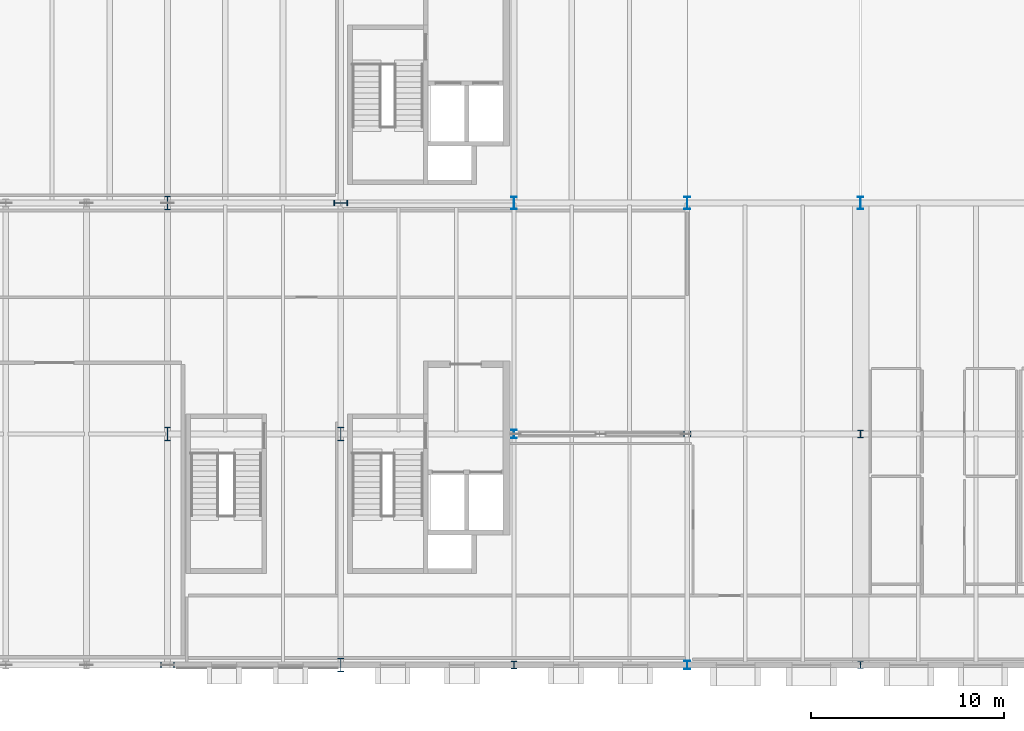
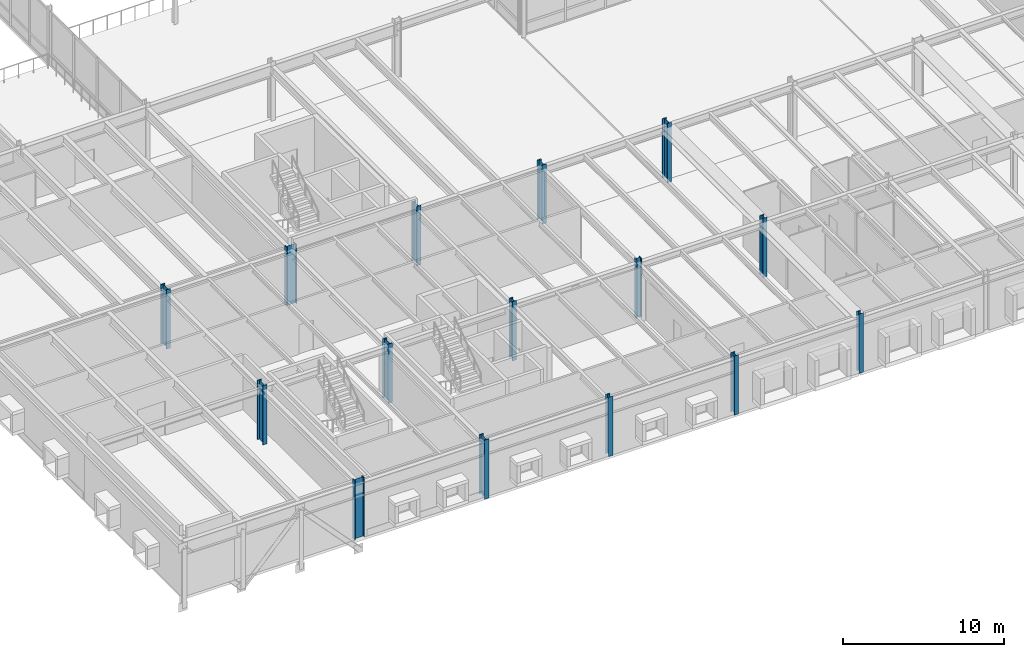
# One storey, part 1 of 115: 15 columns.
"""IFC4 building model written with IfcOpenShell, lengths in metres."""

import ifcopenshell
import ifcopenshell.guid

model = None  # the IFC model being written
_history = None  # IfcOwnerHistory: only IFC2X3 demands one
_inside = {}  # id of a spatial element -> (the spatial element, [elements in it])
_under = {}  # id of a project, library or spatial element -> (it, [spatial elements below it])
_declared = {}  # id of a project -> (the project, [libraries it declares])
_typed = {}  # id of a type object -> (the type object, [elements of that type])
_made_of = {}  # id of a material, layer set ... -> (it, [elements and type objects made of it])


def new_model(schema):
    """Start an empty IFC model of exactly this schema.

    Asked for "IFC4X3", IfcOpenShell would pick the latest addendum, in which some entities
    have other attributes; the version numbers below select the first issue.
    IFC2X3 requires an IfcOwnerHistory on every rooted entity: one is made here for all.
    """
    global model, _history
    if schema == "IFC4X3":
        model = ifcopenshell.file(schema_version=(4, 3, 0, 0))
    else:
        model = ifcopenshell.file(schema=schema)
    _inside.clear()
    _under.clear()
    _declared.clear()
    _typed.clear()
    _made_of.clear()
    _history = None
    if model.schema == "IFC2X3":
        org = make("IfcOrganization", Name="unknown")
        user = make(
            "IfcPersonAndOrganization",
            ThePerson=make("IfcPerson", FamilyName="unknown"),
            TheOrganization=org,
        )
        app = make(
            "IfcApplication",
            ApplicationDeveloper=org,
            Version="unknown",
            ApplicationFullName="unknown",
            ApplicationIdentifier="unknown",
        )
        _history = make(
            "IfcOwnerHistory",
            OwningUser=user,
            OwningApplication=app,
            ChangeAction="ADDED",
            CreationDate=0,
        )
    return model


def make(cls, **values):
    """One entity of the class cls with the attributes given. An attribute that is None is left unset."""
    return model.create_entity(
        cls, **{name: value for name, value in values.items() if value is not None}
    )


def rooted(cls, **values):
    """An entity with a GlobalId (a new one), such as an element, a storey or a relation."""
    return make(cls, GlobalId=ifcopenshell.guid.new(), OwnerHistory=_history, **values)


def si_unit(unit_type, name, prefix=None):
    """IfcSIUnit, for example si_unit("LENGTHUNIT", "METRE", prefix="MILLI")."""
    return make("IfcSIUnit", UnitType=unit_type, Prefix=prefix, Name=name)


def assignment(units):
    """IfcUnitAssignment: the units of a project."""
    return None if units is None else make("IfcUnitAssignment", Units=units)


def point(xyz):
    """IfcCartesianPoint."""
    return None if xyz is None else make("IfcCartesianPoint", Coordinates=xyz)


def direction(xyz):
    """IfcDirection."""
    return None if xyz is None else make("IfcDirection", DirectionRatios=xyz)


def frame(location, z_axis=None, x_axis=None):
    """IfcAxis2Placement3D, a coordinate frame: its origin and axes. An axis left out is left unset."""
    return make(
        "IfcAxis2Placement3D",
        Location=point(location),
        Axis=direction(z_axis),
        RefDirection=direction(x_axis),
    )


def frame_2d(location, x_axis=None):
    """IfcAxis2Placement2D, a coordinate frame in the plane: its origin and x axis."""
    return make(
        "IfcAxis2Placement2D", Location=point(location), RefDirection=direction(x_axis)
    )


def origin():
    """The frame at (0, 0, 0) with its axes left unset."""
    return frame((0.0, 0.0, 0.0))


def origin_2d():
    """The frame at (0, 0) in the plane with its x axis left unset."""
    return frame_2d((0.0, 0.0))


def place(relative_to, where):
    """IfcLocalPlacement: puts the frame where relative to a parent placement (None: the world)."""
    return make(
        "IfcLocalPlacement", PlacementRelTo=relative_to, RelativePlacement=where
    )


def context(
    kind, dimensions, precision=None, world=None, true_north=None, identifier=None
):
    """IfcGeometricRepresentationContext, for example the 3D "Model" context."""
    return make(
        "IfcGeometricRepresentationContext",
        ContextIdentifier=identifier,
        ContextType=kind,
        CoordinateSpaceDimension=dimensions,
        Precision=precision,
        WorldCoordinateSystem=world,
        TrueNorth=true_north,
    )


def subcontext(parent, identifier, kind, view, scale=None):
    """IfcGeometricRepresentationSubContext, for example "Body" below "Model"."""
    return make(
        "IfcGeometricRepresentationSubContext",
        ContextIdentifier=identifier,
        ContextType=kind,
        ParentContext=parent,
        TargetScale=scale,
        TargetView=view,
    )


def project(units=None, contexts=None):
    """IfcProject with its units and contexts."""
    return rooted(
        "IfcProject",
        Name="project",
        RepresentationContexts=contexts,
        UnitsInContext=assignment(units),
    )


def spatial(cls, under=None, at=None, **own):
    """A site, building, storey or space (cls), placed at a placement, below another one or the project."""
    s = rooted(cls, ObjectPlacement=at, **own)
    if under is not None:
        _under.setdefault(under.id(), (under, []))[1].append(s)
    return s


def profile(cls, at=None, kind="AREA", **sizes):
    """A parametric profile (cls). Its sizes go by their IFC names, for example OverallWidth=200.0."""
    return make(cls, ProfileType=kind, Position=at, **sizes)


def i_section(**sizes):
    """IfcIShapeProfileDef."""
    return profile("IfcIShapeProfileDef", **sizes)


def extrude(swept, where, along, depth):
    """IfcExtrudedAreaSolid: the profile swept, set in the frame where, extruded along a direction by depth."""
    return make(
        "IfcExtrudedAreaSolid",
        SweptArea=swept,
        Position=where,
        ExtrudedDirection=direction(along),
        Depth=depth,
    )


def shape(context_of_items, identifier, shape_type, items):
    """IfcShapeRepresentation: the items that make up one representation, for example the "Body"."""
    return make(
        "IfcShapeRepresentation",
        ContextOfItems=context_of_items,
        RepresentationIdentifier=identifier,
        RepresentationType=shape_type,
        Items=items,
    )


def material(Name=None, Category=None):
    """IfcMaterial."""
    return make("IfcMaterial", Name=Name, Category=Category)


def material_profile(
    of_material, cross_section, Name=None, Category=None, Priority=None
):
    """IfcMaterialProfile: a cross section and its material."""
    return make(
        "IfcMaterialProfile",
        Name=Name,
        Material=of_material,
        Profile=cross_section,
        Priority=Priority,
        Category=Category,
    )


def profile_set(profiles, Name=None, composite=None):
    """IfcMaterialProfileSet."""
    return make(
        "IfcMaterialProfileSet",
        Name=Name,
        MaterialProfiles=profiles,
        CompositeProfile=composite,
    )


def made_of(thing, what):
    """Note that an element or type object is made of a material, layer set ...; save() writes the relation."""
    if what is not None:
        _made_of.setdefault(what.id(), (what, []))[1].append(thing)
    return thing


def type_object(cls, material=None, **own):
    """A type object (cls), such as IfcWallType, which elements share."""
    return made_of(rooted(cls, **own), material)


def element(
    cls,
    number,
    at=None,
    inside=None,
    cuts=None,
    type_object=None,
    material=None,
    context=None,
    identifier="Body",
    shape_type=None,
    held_by="IfcProductDefinitionShape",
    body=None,
    shapes=None,
    **own,
):
    """One element of the class cls, such as IfcWall. Its Tag is "e" and its number.

    at: its placement. inside: the storey or other place that contains it. cuts: it is an
    opening in that element (IfcRelVoidsElement). A single representation is given by context,
    identifier, shape_type and body (its items); several are given by shapes. held_by: the class
    of the entity that holds the representations. save() writes the other relations.
    """
    e = rooted(cls, Tag="e%d" % number, ObjectPlacement=at, **own)
    if body is not None:
        shapes = [shape(context, identifier, shape_type, body)]
    if shapes is not None:
        e.Representation = make(held_by, Representations=shapes)
    if inside is not None:
        _inside.setdefault(inside.id(), (inside, []))[1].append(e)
    if cuts is not None:
        rooted(
            "IfcRelVoidsElement", RelatingBuildingElement=cuts, RelatedOpeningElement=e
        )
    if type_object is not None:
        _typed.setdefault(type_object.id(), (type_object, []))[1].append(e)
    return made_of(e, material)


def aggregate(whole, parts):
    """IfcRelAggregates: a whole, such as a stair, and the parts it consists of."""
    return rooted("IfcRelAggregates", RelatingObject=whole, RelatedObjects=parts)


def save(model, path):
    """Write the relations noted so far, then the file.

    IfcRelAggregates (storeys below a building ...), IfcRelContainedInSpatialStructure (elements
    in a storey), IfcRelDefinesByType, IfcRelAssociatesMaterial and IfcRelDeclares: one each for
    every whole, place, type object, material and project.
    """
    for whole, parts in _under.values():
        aggregate(whole, parts)
    for where, things in _inside.values():
        rooted(
            "IfcRelContainedInSpatialStructure",
            RelatedElements=things,
            RelatingStructure=where,
        )
    for kind, things in _typed.values():
        rooted("IfcRelDefinesByType", RelatedObjects=things, RelatingType=kind)
    for what, things in _made_of.values():
        rooted("IfcRelAssociatesMaterial", RelatedObjects=things, RelatingMaterial=what)
    for by, libraries in _declared.values():
        rooted("IfcRelDeclares", RelatingContext=by, RelatedDefinitions=libraries)
    model.write(path)


model = new_model("IFC4")

# Units and contexts
model_context = context("Model", 3, precision=1e-05, world=origin(), true_north=direction((0.0, 1.0)))
body_context = subcontext(model_context, "Body", "Model", "MODEL_VIEW")
ifc_project = project(units=[si_unit("LENGTHUNIT", "METRE"), si_unit("AREAUNIT", "SQUARE_METRE"), si_unit("VOLUMEUNIT", "CUBIC_METRE"), si_unit("PLANEANGLEUNIT", "RADIAN"), si_unit("MASSUNIT", "GRAM", prefix="KILO")], contexts=[model_context])

# Site, building, storey
site_placement = place(None, origin())
site = spatial("IfcSite", under=ifc_project, at=site_placement, CompositionType="ELEMENT")
building_placement = place(site_placement, origin())
building = spatial("IfcBuilding", under=site, at=building_placement, Name="Montelvaro Courts of Justice", CompositionType="ELEMENT")
storey_placement = place(building_placement, frame((0.0, 0.0, 9.89990234375)))
storey = spatial("IfcBuildingStorey", under=building, at=storey_placement, Name="L02", CompositionType="ELEMENT", Elevation=9.89990234375)

# Columns
ifc_material = material(Name="Steel S355", Category="steel")
ifc_material_profile_1 = material_profile(ifc_material, i_section(OverallWidth=0.300048828125, OverallDepth=0.360107421875, WebThickness=0.012451171875, FlangeThickness=0.0224609375, at=origin_2d()), Name="HEB 360")
ifc_profile_set_1 = profile_set([ifc_material_profile_1], Name="Steel S355")
column_type_1 = type_object("IfcColumnType", Name="Col_HEB360", PredefinedType="COLUMN", material=ifc_profile_set_1)
for number, where, z_axis, x_axis, name in (
    (1, (72.0, 12.0, 0.0), (0.0, 0.0, 1.0), (0.0, 1.0, 0.0), "Column C-06 L02 9/B"),
    (2, (81.0, 0.0, 0.0), (0.0, 0.0, 1.0), (1.0, 0.0, 0.0), "Column C-06 L02 10/A"),
):
    element("IfcColumn", number, at=place(storey_placement, frame(where, z_axis=z_axis, x_axis=x_axis)), inside=storey, type_object=column_type_1, Name=name, PredefinedType="COLUMN", context=body_context, shape_type="SweptSolid", body=[
        extrude(i_section(OverallWidth=0.300048828125, OverallDepth=0.360107421875, WebThickness=0.012451171875, FlangeThickness=0.0224609375, at=origin_2d()), origin(), (0.0, 0.0, 1.0), 4.5),
    ])
ifc_material_profile_2 = material_profile(ifc_material, i_section(OverallWidth=0.300048828125, OverallDepth=0.39990234375, WebThickness=0.013427734375, FlangeThickness=0.02392578125, at=origin_2d()), Name="HEB 400")
ifc_profile_set_2 = profile_set([ifc_material_profile_2], Name="Steel S355")
column_type_2 = type_object("IfcColumnType", Name="Col_HEB400", PredefinedType="COLUMN", material=ifc_profile_set_2)
for number, where, z_axis, x_axis, name in (
    (3, (63.0, 0.0, 0.0), (0.0, 0.0, 1.0), (1.0, 0.0, 0.0), "Column C-07 L02 8/A"),
    (4, (81.0, 12.0, 0.0), (0.0, 0.0, 1.0), (1.0, 0.0, 0.0), "Column C-07 L02 10/B"),
):
    element("IfcColumn", number, at=place(storey_placement, frame(where, z_axis=z_axis, x_axis=x_axis)), inside=storey, type_object=column_type_2, Name=name, PredefinedType="COLUMN", context=body_context, shape_type="SweptSolid", body=[
        extrude(i_section(OverallWidth=0.300048828125, OverallDepth=0.39990234375, WebThickness=0.013427734375, FlangeThickness=0.02392578125, at=origin_2d()), origin(), (0.0, 0.0, 1.0), 4.5),
    ])
ifc_material_profile_3 = material_profile(ifc_material, i_section(OverallWidth=0.300048828125, OverallDepth=0.449951171875, WebThickness=0.013916015625, FlangeThickness=0.02587890625, at=origin_2d()), Name="HEB 450")
ifc_profile_set_3 = profile_set([ifc_material_profile_3], Name="Steel S355")
column_type_3 = type_object("IfcColumnType", Name="Col_HEB450", PredefinedType="COLUMN", material=ifc_profile_set_3)
for number, where, z_axis, x_axis, name in (
    (5, (63.0, 12.0, 0.0), (0.0, 0.0, 1.0), (1.0, 0.0, 0.0), "Column C-08 L02 8/B"),
    (6, (72.0, 0.0, 0.0), (0.0, 0.0, 1.0), (1.0, 0.0, 0.0), "Column C-08 L02 9/A"),
):
    element("IfcColumn", number, at=place(storey_placement, frame(where, z_axis=z_axis, x_axis=x_axis)), inside=storey, type_object=column_type_3, Name=name, PredefinedType="COLUMN", context=body_context, shape_type="SweptSolid", body=[
        extrude(i_section(OverallWidth=0.300048828125, OverallDepth=0.449951171875, WebThickness=0.013916015625, FlangeThickness=0.02587890625, at=origin_2d()), origin(), (0.0, 0.0, 1.0), 4.5),
    ])
ifc_material_profile_4 = material_profile(ifc_material, i_section(OverallWidth=0.300048828125, OverallDepth=0.64990234375, WebThickness=0.01611328125, FlangeThickness=0.031005859375, at=origin_2d()), Name="HEB 650")
ifc_profile_set_4 = profile_set([ifc_material_profile_4], Name="Steel S355")
column_type_4 = type_object("IfcColumnType", Name="Col_HEB650", PredefinedType="COLUMN", material=ifc_profile_set_4)
for number, where, z_axis, x_axis, name in (
    (7, (63.0, 24.0, 0.0), (0.0, 0.0, 1.0), (1.0, 0.0, 0.0), "Column C-12 L02 8/C"),
    (8, (72.0, 24.0, 0.0), (0.0, 0.0, 1.0), (1.0, 0.0, 0.0), "Column C-12 L02 9/C"),
    (9, (81.0, 24.0, 0.0), (0.0, 0.0, 1.0), (1.0, 0.0, 0.0), "Column C-12 L02 10/C"),
):
    element("IfcColumn", number, at=place(storey_placement, frame(where, z_axis=z_axis, x_axis=x_axis)), inside=storey, type_object=column_type_4, Name=name, PredefinedType="COLUMN", context=body_context, shape_type="SweptSolid", body=[
        extrude(i_section(OverallWidth=0.300048828125, OverallDepth=0.64990234375, WebThickness=0.01611328125, FlangeThickness=0.031005859375, at=origin_2d()), origin(), (0.0, 0.0, 1.0), 4.5),
    ])
ifc_material_profile_5 = material_profile(ifc_material, i_section(OverallWidth=0.303955078125, OverallDepth=0.716064453125, WebThickness=0.02099609375, FlangeThickness=0.0400390625, at=origin_2d()), Name="HEM 700")
ifc_profile_set_5 = profile_set([ifc_material_profile_5], Name="Steel S355")
column_type_5 = type_object("IfcColumnType", Name="Col_HEM700", PredefinedType="COLUMN", material=ifc_profile_set_5)
for number, where, z_axis, x_axis, name in (
    (10, (45.0, 0.0, 0.0), (0.0, 0.0, 1.0), (0.0, 1.0, 0.0), "Column C-16 L02 6/A"),
    (11, (45.0, 12.0, 0.0), (0.0, 0.0, 1.0), (1.0, 0.0, 0.0), "Column C-16 L02 6/B"),
    (12, (45.0, 24.0, 0.0), (0.0, 0.0, 1.0), (1.0, 0.0, 0.0), "Column C-16 L02 6/C"),
    (13, (54.0, 0.0, 0.0), (0.0, 0.0, 1.0), (1.0, 0.0, 0.0), "Column C-16 L02 7/A"),
    (14, (54.0, 12.0, 0.0), (0.0, 0.0, 1.0), (1.0, 0.0, 0.0), "Column C-16 L02 7/B"),
    (15, (54.0, 24.0, 0.0), (0.0, 0.0, 1.0), (0.0, 1.0, 0.0), "Column C-16 L02 7/C"),
):
    element("IfcColumn", number, at=place(storey_placement, frame(where, z_axis=z_axis, x_axis=x_axis)), inside=storey, type_object=column_type_5, Name=name, PredefinedType="COLUMN", context=body_context, shape_type="SweptSolid", body=[
        extrude(i_section(OverallWidth=0.303955078125, OverallDepth=0.716064453125, WebThickness=0.02099609375, FlangeThickness=0.0400390625, at=origin_2d()), origin(), (0.0, 0.0, 1.0), 4.5),
    ])

save(model, "model.ifc")
